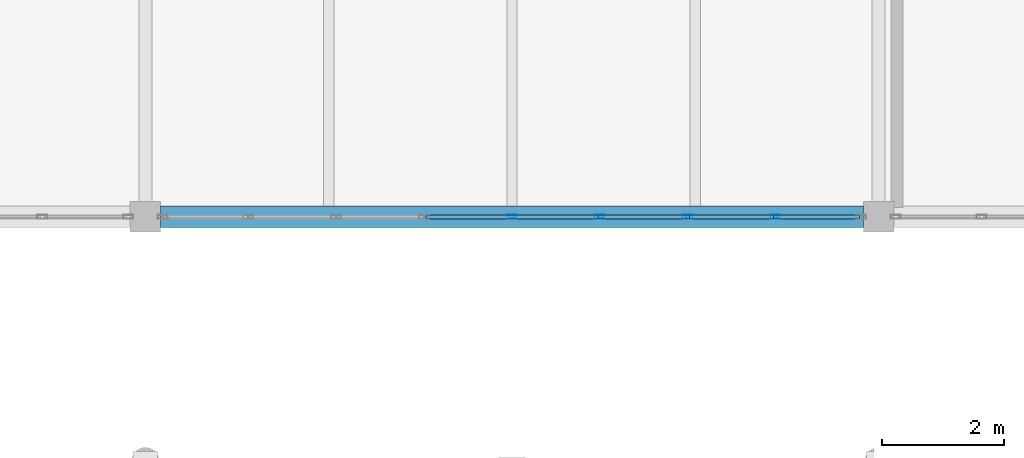
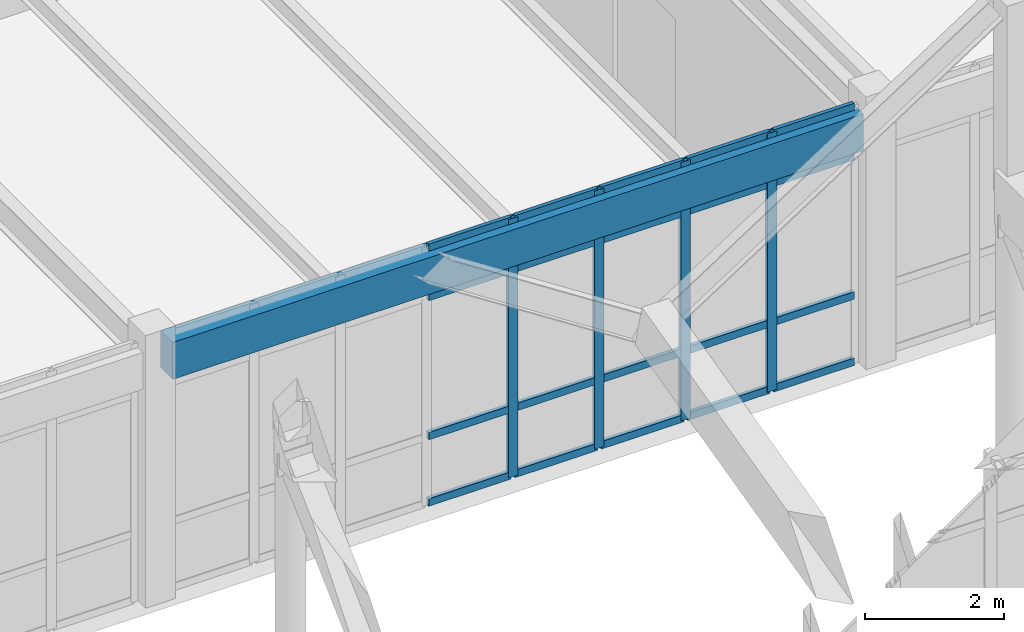
# One storey, part 95 of 236: 24 members, 1 beam, 1 element without a shape of its own.
"""IFC4 building model written with IfcOpenShell, lengths in metres."""

from ifc_helpers import new_model, si_unit, direction, frame, origin, origin_2d, place, context, subcontext, project, spatial, rectangle, hollow_rectangle, extrude, material, layer, layer_set, material_profile, profile_set, type_object, element, aggregate, save


model = new_model("IFC4")

# Units and contexts
model_context = context("Model", 3, precision=1e-05, world=origin(), true_north=direction((0.0, 1.0)))
body_context = subcontext(model_context, "Body", "Model", "MODEL_VIEW")
ifc_project = project(units=[si_unit("LENGTHUNIT", "METRE"), si_unit("AREAUNIT", "SQUARE_METRE"), si_unit("VOLUMEUNIT", "CUBIC_METRE"), si_unit("PLANEANGLEUNIT", "RADIAN"), si_unit("MASSUNIT", "GRAM", prefix="KILO")], contexts=[model_context])

# Site, building, storey
site_placement = place(None, origin())
site = spatial("IfcSite", under=ifc_project, at=site_placement, CompositionType="ELEMENT")
building_placement = place(site_placement, origin())
building = spatial("IfcBuilding", under=site, at=building_placement, Name="Pandanus Reach Market Hall", CompositionType="ELEMENT")
storey_placement = place(building_placement, frame((0.0, 0.0, 5.39990234375)))
storey = spatial("IfcBuildingStorey", under=building, at=storey_placement, Name="L01", CompositionType="ELEMENT", Elevation=5.39990234375)

# Beam
ifc_material_1 = material(Name="Concrete N40 (40 MPa)", Category="concrete")
ifc_material_profile_1 = material_profile(ifc_material_1, rectangle(XDim=0.35009765625, YDim=0.64990234375, at=origin_2d()), Name="RC350x650", Category="LoadBearing")
ifc_profile_set_1 = profile_set([ifc_material_profile_1], Name="Concrete N40 (40 MPa)")
beam_type = type_object("IfcBeamType", Name="BM-RC350-E", PredefinedType="SPANDREL", material=ifc_profile_set_1)
beam_placement = place(storey_placement, frame((84.248046875, 96.0, 4.135009765625), z_axis=(1.0, 0.0, 0.0), x_axis=(0.0, 1.0, 0.0)))
element("IfcBeam", 1, at=beam_placement, inside=storey, type_object=beam_type, Name="Framing beam BM-RC350-E L01.850", PredefinedType="SPANDREL", context=body_context, shape_type="SweptSolid", body=[
    extrude(rectangle(XDim=0.35009765625, YDim=0.64990234375, at=origin_2d()), origin(), (0.0, 0.0, 1.0), 11.50390625),
])

# Curtain wall, members
ifc_material_2 = material(Name="Bronze anodised aluminium and low-E glass", Category="aluminium")
ifc_layer = layer(ifc_material_2, 0.159912109375, Name="CW-38")
ifc_layer_set = layer_set([ifc_layer], Name="Bronze anodised aluminium and low-E glass")
curtain_wall_type = type_object("IfcCurtainWallType", Name="CW-38", PredefinedType="NOTDEFINED", material=ifc_layer_set)
curtain_wall_placement = place(storey_placement, origin())
curtain_wall = element("IfcCurtainWall", 2, at=curtain_wall_placement, inside=storey, type_object=curtain_wall_type, Name="Glazed curtain wall CW-38 CW-0138", PredefinedType="NOTDEFINED")
ifc_material_3 = material(Name="Bronze anodised aluminium", Category="aluminium")
ifc_material_profile_2 = material_profile(ifc_material_3, hollow_rectangle(XDim=0.06494140625, YDim=0.159912109375, WallThickness=0.00390625, at=origin_2d()), Name="ALU65x160", Category="LoadBearing")
ifc_profile_set_2 = profile_set([ifc_material_profile_2], Name="Bronze anodised aluminium")
member_type_1 = type_object("IfcMemberType", Name="CW-M1", PredefinedType="MULLION", material=ifc_profile_set_2)
member_1_placement = place(storey_placement, frame((90.0, 96.0, 0.0), z_axis=(0.0, 0.0, 1.0), x_axis=(0.0, 1.0, 0.0)))
member_1 = element("IfcMember", 3, at=member_1_placement, type_object=member_type_1, Name="CW-38 mullion 5", PredefinedType="MULLION", context=body_context, shape_type="SweptSolid", body=[
    extrude(hollow_rectangle(XDim=0.06494140625, YDim=0.159912109375, WallThickness=0.00390625, at=origin_2d()), origin(), (0.0, 0.0, 1.0), 4.550048828125),
])
member_2_placement = place(storey_placement, frame((91.4375, 96.0, 0.0), z_axis=(0.0, 0.0, 1.0), x_axis=(0.0, 1.0, 0.0)))
member_2 = element("IfcMember", 4, at=member_2_placement, type_object=member_type_1, Name="CW-38 mullion 6", PredefinedType="MULLION", context=body_context, shape_type="SweptSolid", body=[
    extrude(hollow_rectangle(XDim=0.06494140625, YDim=0.159912109375, WallThickness=0.00390625, at=origin_2d()), origin(), (0.0, 0.0, 1.0), 4.550048828125),
])
member_3_placement = place(storey_placement, frame((92.875, 96.0, 0.0), z_axis=(0.0, 0.0, 1.0), x_axis=(0.0, 1.0, 0.0)))
member_3 = element("IfcMember", 5, at=member_3_placement, type_object=member_type_1, Name="CW-38 mullion 7", PredefinedType="MULLION", context=body_context, shape_type="SweptSolid", body=[
    extrude(hollow_rectangle(XDim=0.06494140625, YDim=0.159912109375, WallThickness=0.00390625, at=origin_2d()), origin(), (0.0, 0.0, 1.0), 4.550048828125),
])
member_4_placement = place(storey_placement, frame((94.3125, 96.0, 0.0), z_axis=(0.0, 0.0, 1.0), x_axis=(0.0, 1.0, 0.0)))
member_4 = element("IfcMember", 6, at=member_4_placement, type_object=member_type_1, Name="CW-38 mullion 8", PredefinedType="MULLION", context=body_context, shape_type="SweptSolid", body=[
    extrude(hollow_rectangle(XDim=0.06494140625, YDim=0.159912109375, WallThickness=0.00390625, at=origin_2d()), origin(), (0.0, 0.0, 1.0), 4.550048828125),
])
ifc_material_profile_3 = material_profile(ifc_material_3, hollow_rectangle(XDim=0.06494140625, YDim=0.1298828125, WallThickness=0.00390625, at=origin_2d()), Name="ALU65x130", Category="LoadBearing")
ifc_profile_set_3 = profile_set([ifc_material_profile_3], Name="Bronze anodised aluminium")
member_type_2 = type_object("IfcMemberType", Name="CW-T1", PredefinedType="USERDEFINED", material=ifc_profile_set_3)
member_5_placement = place(storey_placement, frame((88.594970703125, 96.0, 0.03271484375), z_axis=(1.0, 0.0, 0.0), x_axis=(0.0, 1.0, 0.0)))
member_5 = element("IfcMember", 7, at=member_5_placement, type_object=member_type_2, Name="CW-38 transom 4.1", ObjectType="TRANSOM", PredefinedType="USERDEFINED", context=body_context, shape_type="SweptSolid", body=[
    extrude(hollow_rectangle(XDim=0.06494140625, YDim=0.1298828125, WallThickness=0.00390625, at=origin_2d()), origin(), (0.0, 0.0, 1.0), 1.37255859375),
])
member_6_placement = place(storey_placement, frame((88.594970703125, 96.0, 1.2001953125), z_axis=(1.0, 0.0, 0.0), x_axis=(0.0, 1.0, 0.0)))
member_6 = element("IfcMember", 8, at=member_6_placement, type_object=member_type_2, Name="CW-38 transom 4.2", ObjectType="TRANSOM", PredefinedType="USERDEFINED", context=body_context, shape_type="SweptSolid", body=[
    extrude(hollow_rectangle(XDim=0.06494140625, YDim=0.1298828125, WallThickness=0.00390625, at=origin_2d()), origin(), (0.0, 0.0, 1.0), 1.37255859375),
])
member_7_placement = place(storey_placement, frame((88.594970703125, 96.0, 3.650146484375), z_axis=(1.0, 0.0, 0.0), x_axis=(0.0, 1.0, 0.0)))
member_7 = element("IfcMember", 9, at=member_7_placement, type_object=member_type_2, Name="CW-38 transom 4.3", ObjectType="TRANSOM", PredefinedType="USERDEFINED", context=body_context, shape_type="SweptSolid", body=[
    extrude(hollow_rectangle(XDim=0.06494140625, YDim=0.1298828125, WallThickness=0.00390625, at=origin_2d()), origin(), (0.0, 0.0, 1.0), 1.37255859375),
])
member_8_placement = place(storey_placement, frame((88.594970703125, 96.0, 4.517578125), z_axis=(1.0, 0.0, 0.0), x_axis=(0.0, 1.0, 0.0)))
member_8 = element("IfcMember", 10, at=member_8_placement, type_object=member_type_2, Name="CW-38 transom 4.4", ObjectType="TRANSOM", PredefinedType="USERDEFINED", context=body_context, shape_type="SweptSolid", body=[
    extrude(hollow_rectangle(XDim=0.06494140625, YDim=0.1298828125, WallThickness=0.00390625, at=origin_2d()), origin(), (0.0, 0.0, 1.0), 1.37255859375),
])
member_9_placement = place(storey_placement, frame((90.032470703125, 96.0, 0.03271484375), z_axis=(1.0, 0.0, 0.0), x_axis=(0.0, 1.0, 0.0)))
member_9 = element("IfcMember", 11, at=member_9_placement, type_object=member_type_2, Name="CW-38 transom 5.1", ObjectType="TRANSOM", PredefinedType="USERDEFINED", context=body_context, shape_type="SweptSolid", body=[
    extrude(hollow_rectangle(XDim=0.06494140625, YDim=0.1298828125, WallThickness=0.00390625, at=origin_2d()), origin(), (0.0, 0.0, 1.0), 1.37255859375),
])
member_10_placement = place(storey_placement, frame((90.032470703125, 96.0, 1.2001953125), z_axis=(1.0, 0.0, 0.0), x_axis=(0.0, 1.0, 0.0)))
member_10 = element("IfcMember", 12, at=member_10_placement, type_object=member_type_2, Name="CW-38 transom 5.2", ObjectType="TRANSOM", PredefinedType="USERDEFINED", context=body_context, shape_type="SweptSolid", body=[
    extrude(hollow_rectangle(XDim=0.06494140625, YDim=0.1298828125, WallThickness=0.00390625, at=origin_2d()), origin(), (0.0, 0.0, 1.0), 1.37255859375),
])
member_11_placement = place(storey_placement, frame((90.032470703125, 96.0, 3.650146484375), z_axis=(1.0, 0.0, 0.0), x_axis=(0.0, 1.0, 0.0)))
member_11 = element("IfcMember", 13, at=member_11_placement, type_object=member_type_2, Name="CW-38 transom 5.3", ObjectType="TRANSOM", PredefinedType="USERDEFINED", context=body_context, shape_type="SweptSolid", body=[
    extrude(hollow_rectangle(XDim=0.06494140625, YDim=0.1298828125, WallThickness=0.00390625, at=origin_2d()), origin(), (0.0, 0.0, 1.0), 1.37255859375),
])
member_12_placement = place(storey_placement, frame((90.032470703125, 96.0, 4.517578125), z_axis=(1.0, 0.0, 0.0), x_axis=(0.0, 1.0, 0.0)))
member_12 = element("IfcMember", 14, at=member_12_placement, type_object=member_type_2, Name="CW-38 transom 5.4", ObjectType="TRANSOM", PredefinedType="USERDEFINED", context=body_context, shape_type="SweptSolid", body=[
    extrude(hollow_rectangle(XDim=0.06494140625, YDim=0.1298828125, WallThickness=0.00390625, at=origin_2d()), origin(), (0.0, 0.0, 1.0), 1.37255859375),
])
member_13_placement = place(storey_placement, frame((91.469970703125, 96.0, 0.03271484375), z_axis=(1.0, 0.0, 0.0), x_axis=(0.0, 1.0, 0.0)))
member_13 = element("IfcMember", 15, at=member_13_placement, type_object=member_type_2, Name="CW-38 transom 6.1", ObjectType="TRANSOM", PredefinedType="USERDEFINED", context=body_context, shape_type="SweptSolid", body=[
    extrude(hollow_rectangle(XDim=0.06494140625, YDim=0.1298828125, WallThickness=0.00390625, at=origin_2d()), origin(), (0.0, 0.0, 1.0), 1.37255859375),
])
member_14_placement = place(storey_placement, frame((91.469970703125, 96.0, 1.2001953125), z_axis=(1.0, 0.0, 0.0), x_axis=(0.0, 1.0, 0.0)))
member_14 = element("IfcMember", 16, at=member_14_placement, type_object=member_type_2, Name="CW-38 transom 6.2", ObjectType="TRANSOM", PredefinedType="USERDEFINED", context=body_context, shape_type="SweptSolid", body=[
    extrude(hollow_rectangle(XDim=0.06494140625, YDim=0.1298828125, WallThickness=0.00390625, at=origin_2d()), origin(), (0.0, 0.0, 1.0), 1.37255859375),
])
member_15_placement = place(storey_placement, frame((91.469970703125, 96.0, 3.650146484375), z_axis=(1.0, 0.0, 0.0), x_axis=(0.0, 1.0, 0.0)))
member_15 = element("IfcMember", 17, at=member_15_placement, type_object=member_type_2, Name="CW-38 transom 6.3", ObjectType="TRANSOM", PredefinedType="USERDEFINED", context=body_context, shape_type="SweptSolid", body=[
    extrude(hollow_rectangle(XDim=0.06494140625, YDim=0.1298828125, WallThickness=0.00390625, at=origin_2d()), origin(), (0.0, 0.0, 1.0), 1.37255859375),
])
member_16_placement = place(storey_placement, frame((91.469970703125, 96.0, 4.517578125), z_axis=(1.0, 0.0, 0.0), x_axis=(0.0, 1.0, 0.0)))
member_16 = element("IfcMember", 18, at=member_16_placement, type_object=member_type_2, Name="CW-38 transom 6.4", ObjectType="TRANSOM", PredefinedType="USERDEFINED", context=body_context, shape_type="SweptSolid", body=[
    extrude(hollow_rectangle(XDim=0.06494140625, YDim=0.1298828125, WallThickness=0.00390625, at=origin_2d()), origin(), (0.0, 0.0, 1.0), 1.37255859375),
])
member_17_placement = place(storey_placement, frame((92.907470703125, 96.0, 0.03271484375), z_axis=(1.0, 0.0, 0.0), x_axis=(0.0, 1.0, 0.0)))
member_17 = element("IfcMember", 19, at=member_17_placement, type_object=member_type_2, Name="CW-38 transom 7.1", ObjectType="TRANSOM", PredefinedType="USERDEFINED", context=body_context, shape_type="SweptSolid", body=[
    extrude(hollow_rectangle(XDim=0.06494140625, YDim=0.1298828125, WallThickness=0.00390625, at=origin_2d()), origin(), (0.0, 0.0, 1.0), 1.37255859375),
])
member_18_placement = place(storey_placement, frame((92.907470703125, 96.0, 1.2001953125), z_axis=(1.0, 0.0, 0.0), x_axis=(0.0, 1.0, 0.0)))
member_18 = element("IfcMember", 20, at=member_18_placement, type_object=member_type_2, Name="CW-38 transom 7.2", ObjectType="TRANSOM", PredefinedType="USERDEFINED", context=body_context, shape_type="SweptSolid", body=[
    extrude(hollow_rectangle(XDim=0.06494140625, YDim=0.1298828125, WallThickness=0.00390625, at=origin_2d()), origin(), (0.0, 0.0, 1.0), 1.37255859375),
])
member_19_placement = place(storey_placement, frame((92.907470703125, 96.0, 3.650146484375), z_axis=(1.0, 0.0, 0.0), x_axis=(0.0, 1.0, 0.0)))
member_19 = element("IfcMember", 21, at=member_19_placement, type_object=member_type_2, Name="CW-38 transom 7.3", ObjectType="TRANSOM", PredefinedType="USERDEFINED", context=body_context, shape_type="SweptSolid", body=[
    extrude(hollow_rectangle(XDim=0.06494140625, YDim=0.1298828125, WallThickness=0.00390625, at=origin_2d()), origin(), (0.0, 0.0, 1.0), 1.37255859375),
])
member_20_placement = place(storey_placement, frame((92.907470703125, 96.0, 4.517578125), z_axis=(1.0, 0.0, 0.0), x_axis=(0.0, 1.0, 0.0)))
member_20 = element("IfcMember", 22, at=member_20_placement, type_object=member_type_2, Name="CW-38 transom 7.4", ObjectType="TRANSOM", PredefinedType="USERDEFINED", context=body_context, shape_type="SweptSolid", body=[
    extrude(hollow_rectangle(XDim=0.06494140625, YDim=0.1298828125, WallThickness=0.00390625, at=origin_2d()), origin(), (0.0, 0.0, 1.0), 1.37255859375),
])
member_21_placement = place(storey_placement, frame((94.344970703125, 96.0, 0.03271484375), z_axis=(1.0, 0.0, 0.0), x_axis=(0.0, 1.0, 0.0)))
member_21 = element("IfcMember", 23, at=member_21_placement, type_object=member_type_2, Name="CW-38 transom 8.1", ObjectType="TRANSOM", PredefinedType="USERDEFINED", context=body_context, shape_type="SweptSolid", body=[
    extrude(hollow_rectangle(XDim=0.06494140625, YDim=0.1298828125, WallThickness=0.00390625, at=origin_2d()), origin(), (0.0, 0.0, 1.0), 1.340087890625),
])
member_22_placement = place(storey_placement, frame((94.344970703125, 96.0, 1.2001953125), z_axis=(1.0, 0.0, 0.0), x_axis=(0.0, 1.0, 0.0)))
member_22 = element("IfcMember", 24, at=member_22_placement, type_object=member_type_2, Name="CW-38 transom 8.2", ObjectType="TRANSOM", PredefinedType="USERDEFINED", context=body_context, shape_type="SweptSolid", body=[
    extrude(hollow_rectangle(XDim=0.06494140625, YDim=0.1298828125, WallThickness=0.00390625, at=origin_2d()), origin(), (0.0, 0.0, 1.0), 1.340087890625),
])
member_23_placement = place(storey_placement, frame((94.344970703125, 96.0, 3.650146484375), z_axis=(1.0, 0.0, 0.0), x_axis=(0.0, 1.0, 0.0)))
member_23 = element("IfcMember", 25, at=member_23_placement, type_object=member_type_2, Name="CW-38 transom 8.3", ObjectType="TRANSOM", PredefinedType="USERDEFINED", context=body_context, shape_type="SweptSolid", body=[
    extrude(hollow_rectangle(XDim=0.06494140625, YDim=0.1298828125, WallThickness=0.00390625, at=origin_2d()), origin(), (0.0, 0.0, 1.0), 1.340087890625),
])
member_24_placement = place(storey_placement, frame((94.344970703125, 96.0, 4.517578125), z_axis=(1.0, 0.0, 0.0), x_axis=(0.0, 1.0, 0.0)))
member_24 = element("IfcMember", 26, at=member_24_placement, type_object=member_type_2, Name="CW-38 transom 8.4", ObjectType="TRANSOM", PredefinedType="USERDEFINED", context=body_context, shape_type="SweptSolid", body=[
    extrude(hollow_rectangle(XDim=0.06494140625, YDim=0.1298828125, WallThickness=0.00390625, at=origin_2d()), origin(), (0.0, 0.0, 1.0), 1.340087890625),
])
aggregate(curtain_wall, [member_1, member_2, member_3, member_4, member_5, member_6, member_7, member_8, member_9, member_10, member_11, member_12, member_13, member_14, member_15, member_16, member_17, member_18, member_19, member_20, member_21, member_22, member_23, member_24])

save(model, "model.ifc")
